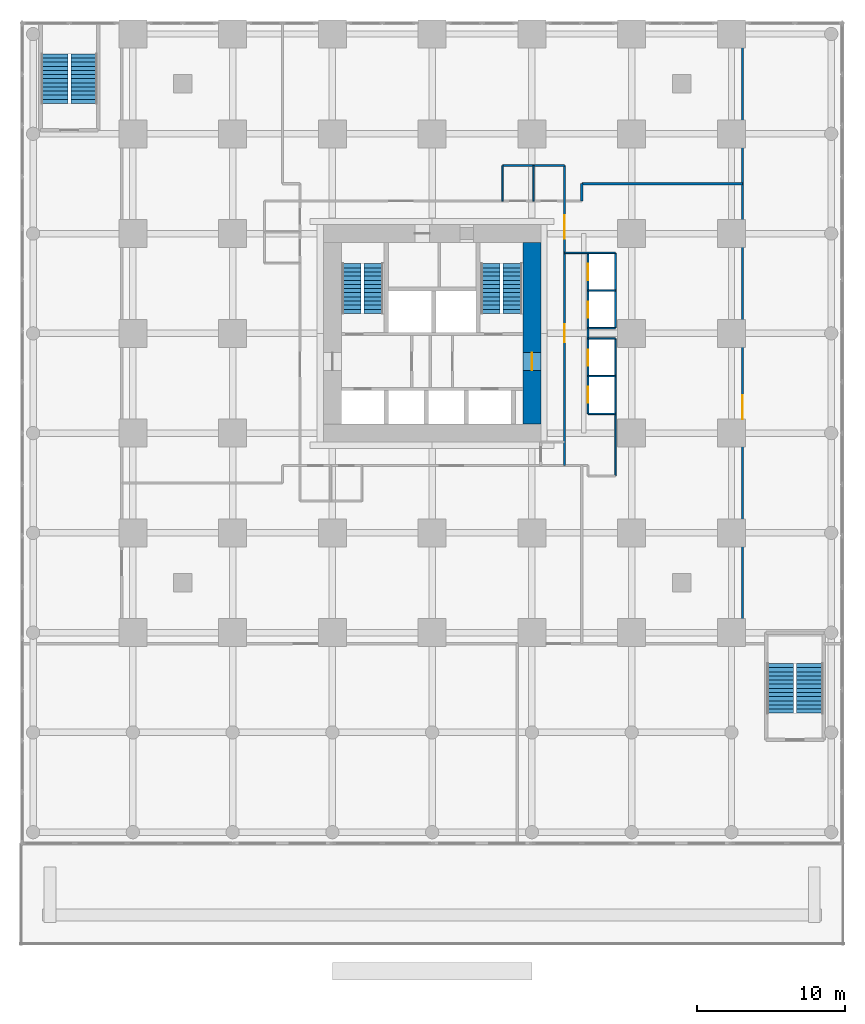
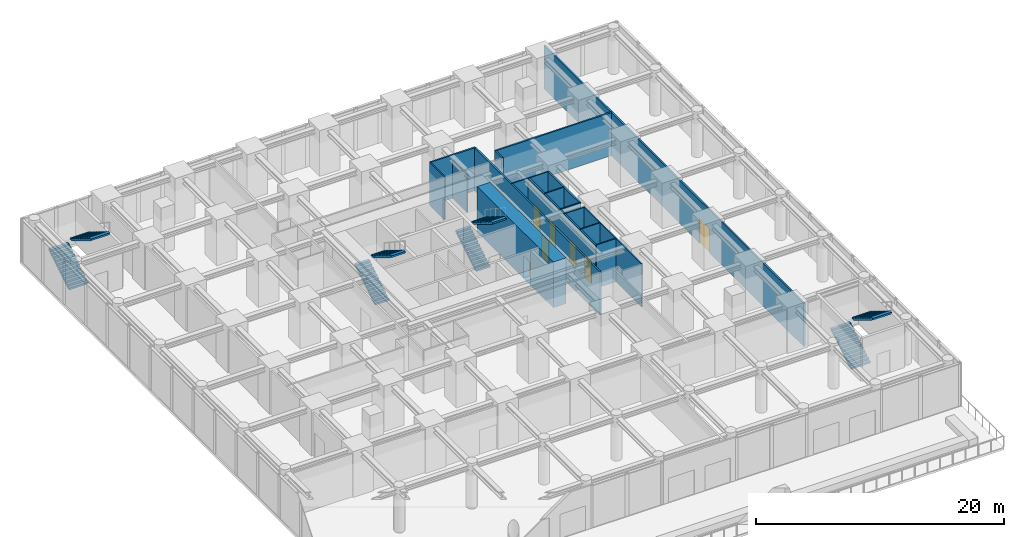
# One storey, part 10 of 11: 17 walls, 8 doors, 8 stair flights, 8 openings, 4 elements without a shape of their own.
"""IFC4 building model written with IfcOpenShell, lengths in metres."""

from ifc_helpers import new_model, si_unit, direction, frame, frame_2d, origin, place, context, subcontext, project, spatial, polyline, rectangle, outline, extrude, material, layer, layer_set, type_object, element, fill, aggregate, save


model = new_model("IFC4")

# Units and contexts
model_context = context("Model", 3, precision=1e-05, world=origin(), true_north=direction((0.0, 1.0)))
body_context = subcontext(model_context, "Body", "Model", "MODEL_VIEW")
ifc_project = project(units=[si_unit("LENGTHUNIT", "METRE"), si_unit("AREAUNIT", "SQUARE_METRE"), si_unit("VOLUMEUNIT", "CUBIC_METRE"), si_unit("PLANEANGLEUNIT", "RADIAN"), si_unit("MASSUNIT", "GRAM", prefix="KILO")], contexts=[model_context])

# Site, building, storey
site_placement = place(None, origin())
site = spatial("IfcSite", under=ifc_project, at=site_placement, CompositionType="ELEMENT")
building_placement = place(site_placement, origin())
building = spatial("IfcBuilding", under=site, at=building_placement, Name="Nyansa Garden Tower", CompositionType="ELEMENT")
storey_placement = place(building_placement, frame((0.0, 0.0, 4.5)))
storey = spatial("IfcBuildingStorey", under=building, at=storey_placement, Name="L01", CompositionType="ELEMENT", Elevation=4.5)

# Wall, opening, door
ifc_material_1 = material(Name="Concrete C80/95", Category="concrete")
ifc_layer_1 = layer(ifc_material_1, 1.199951171875)
ifc_layer_set_1 = layer_set([ifc_layer_1], Name="Core wall CW1200")
wall_type_1 = type_object("IfcWallType", Name="Core wall CW1200", PredefinedType="SHEAR", material=ifc_layer_set_1)
wall_1_placement = place(storey_placement, frame((27.0, 14.10009765625, 0.0), z_axis=(0.0, 0.0, 1.0), x_axis=(0.0, 1.0, 0.0)))
wall_1 = element("IfcWall", 1, at=wall_1_placement, inside=storey, type_object=wall_type_1, Name="Core wall E L01", PredefinedType="SHEAR", context=body_context, shape_type="SweptSolid", body=[
    extrude(rectangle(XDim=12.2998046875, YDim=1.199951171875, at=frame_2d((6.14990234375, 0.0))), origin(), (0.0, 0.0, 1.0), 4.5),
])
opening_1_placement = place(wall_1_placement, frame((3.64990234375, 0.0, 0.0)))
opening_1 = element("IfcOpeningElement", 2, at=opening_1_placement, cuts=wall_1, Name="Opening D06", PredefinedType="OPENING", context=body_context, shape_type="SweptSolid", body=[
    extrude(rectangle(XDim=1.199951171875, YDim=2.199951171875, at=frame_2d((0.60009765625, 1.10009765625))), frame((0.0, 0.60986328125, 0.0), z_axis=(0.0, -1.0, 0.0), x_axis=(1.0, 0.0, 0.0)), (0.0, 0.0, 1.0), 1.219970703125),
])
ifc_material_2 = material(Name="Steel door, 120 minute fire resisting", Category="steel")
door_type_1 = type_object("IfcDoorType", Name="Lobby door D06 1200x2200", OperationType="DOUBLE_DOOR_SINGLE_SWING", PredefinedType="DOOR", material=ifc_material_2)
door_1_placement = place(opening_1_placement, origin())
door_1 = element("IfcDoor", 3, at=door_1_placement, inside=storey, type_object=door_type_1, Name="Lift lobby door east", OperationType="DOUBLE_DOOR_SINGLE_SWING", OverallHeight=2.199951171875, OverallWidth=1.199951171875, PredefinedType="DOOR", context=body_context, shape_type="SweptSolid", body=[
    extrude(rectangle(XDim=1.199951171875, YDim=2.199951171875, at=frame_2d((0.60009765625, 1.10009765625))), frame((0.0, 0.02490234375, 0.0), z_axis=(0.0, -1.0, 0.0), x_axis=(1.0, 0.0, 0.0)), (0.0, 0.0, 1.0), 0.050048828125),
])
fill(opening_1, door_1)

# Walls
ifc_material_3 = material(Name="Steel-stud shaft wall, two layers fire-rated board, EI 120", Category="steel")
ifc_layer_2 = layer(ifc_material_3, 0.10009765625)
ifc_layer_set_2 = layer_set([ifc_layer_2], Name="Lift shaft wall SW100")
wall_type_2 = type_object("IfcWallType", Name="Lift shaft wall SW100", PredefinedType="SHEAR", material=ifc_layer_set_2)
wall_2_placement = place(storey_placement, frame((29.199951171875, 25.699951171875, 0.0), z_axis=(0.0, 0.0, 1.0), x_axis=(1.0, 0.0, 0.0)))
element("IfcWall", 4, at=wall_2_placement, inside=storey, type_object=wall_type_2, Name="Lift shaft wall", PredefinedType="SHEAR", context=body_context, shape_type="SweptSolid", body=[
    extrude(rectangle(XDim=3.449951171875, YDim=0.10009765625, at=frame_2d((1.72509765625, 0.0))), origin(), (0.0, 0.0, 1.0), 4.25),
])
for number, where, z_axis, x_axis, name in (
    (5, (30.800048828125, 14.800048828125, 0.0), (0.0, 0.0, 1.0), (1.0, 0.0, 0.0), "Lift shaft wall"),
    (6, (30.800048828125, 17.35009765625, 0.0), (0.0, 0.0, 1.0), (1.0, 0.0, 0.0), "Lift shaft wall"),
    (7, (30.800048828125, 19.89990234375, 0.0), (0.0, 0.0, 1.0), (1.0, 0.0, 0.0), "Lift shaft wall"),
    (8, (30.800048828125, 20.60009765625, 0.0), (0.0, 0.0, 1.0), (1.0, 0.0, 0.0), "Lift shaft wall"),
    (9, (30.800048828125, 23.14990234375, 0.0), (0.0, 0.0, 1.0), (1.0, 0.0, 0.0), "Lift shaft wall"),
):
    element("IfcWall", number, at=place(storey_placement, frame(where, z_axis=z_axis, x_axis=x_axis)), inside=storey, type_object=wall_type_2, Name=name, PredefinedType="SHEAR", context=body_context, shape_type="SweptSolid", body=[
        extrude(rectangle(XDim=1.849853515625, YDim=0.10009765625, at=frame_2d((0.9248046875, 0.0))), origin(), (0.0, 0.0, 1.0), 4.25),
    ])
wall_3_placement = place(storey_placement, frame((32.64990234375, 10.60009765625, 0.0), z_axis=(0.0, 0.0, 1.0), x_axis=(0.0, 1.0, 0.0)))
element("IfcWall", 10, at=wall_3_placement, inside=storey, type_object=wall_type_2, Name="Lift shaft wall", PredefinedType="SHEAR", context=body_context, shape_type="SweptSolid", body=[
    extrude(rectangle(XDim=9.2998046875, YDim=0.10009765625, at=frame_2d((4.64990234375, 0.0))), origin(), (0.0, 0.0, 1.0), 4.25),
])
ifc_material_4 = material(Name="Blockwork, plastered both sides", Category="masonry")
ifc_layer_3 = layer(ifc_material_4, 0.14990234375)
ifc_layer_set_3 = layer_set([ifc_layer_3], Name="Partition PW150")
wall_type_3 = type_object("IfcWallType", Name="Partition PW150", PredefinedType="PARTITIONING", material=ifc_layer_set_3)
wall_4_placement = place(storey_placement, frame((25.0, 31.60009765625, 0.0), z_axis=(0.0, 0.0, 1.0), x_axis=(1.0, 0.0, 0.0)))
element("IfcWall", 11, at=wall_4_placement, inside=storey, type_object=wall_type_3, Name="Partition", PredefinedType="PARTITIONING", context=body_context, shape_type="SweptSolid", body=[
    extrude(rectangle(XDim=4.199951171875, YDim=0.14990234375, at=frame_2d((2.10009765625, 0.0))), origin(), (0.0, 0.0, 1.0), 4.25),
])

# Wall, openings, doors
wall_5_placement = place(storey_placement, frame((29.199951171875, 11.300048828125, 0.0), z_axis=(0.0, 0.0, 1.0), x_axis=(0.0, 1.0, 0.0)))
wall_5 = element("IfcWall", 12, at=wall_5_placement, inside=storey, type_object=wall_type_3, Name="Partition", PredefinedType="PARTITIONING", context=body_context, shape_type="SweptSolid", body=[
    extrude(rectangle(XDim=20.300048828125, YDim=0.14990234375, at=frame_2d((10.14990234375, 0.0))), origin(), (0.0, 0.0, 1.0), 4.25),
])
opening_2_placement = place(wall_5_placement, frame((15.35009765625, 0.0, 0.0)))
opening_2 = element("IfcOpeningElement", 13, at=opening_2_placement, cuts=wall_5, Name="Opening D12", PredefinedType="OPENING", context=body_context, shape_type="SweptSolid", body=[
    extrude(rectangle(XDim=1.60009765625, YDim=2.39990234375, at=frame_2d((0.800048828125, 1.199951171875))), frame((0.0, 0.0849609375, 0.0), z_axis=(0.0, -1.0, 0.0), x_axis=(1.0, 0.0, 0.0)), (0.0, 0.0, 1.0), 0.169921875),
])
opening_3_placement = place(wall_5_placement, frame((8.35009765625, 0.0, 0.0)))
opening_3 = element("IfcOpeningElement", 14, at=opening_3_placement, cuts=wall_5, Name="Opening D06", PredefinedType="OPENING", context=body_context, shape_type="SweptSolid", body=[
    extrude(rectangle(XDim=1.199951171875, YDim=2.199951171875, at=frame_2d((0.60009765625, 1.10009765625))), frame((0.0, 0.0849609375, 0.0), z_axis=(0.0, -1.0, 0.0), x_axis=(1.0, 0.0, 0.0)), (0.0, 0.0, 1.0), 0.169921875),
])
ifc_material_5 = material(Name="Black aluminium glazed door, 60 minute fire resisting", Category="aluminium")
door_type_2 = type_object("IfcDoorType", Name="Amenity door D12 1600x2400", OperationType="DOUBLE_DOOR_SINGLE_SWING", PredefinedType="DOOR", material=ifc_material_5)
door_2_placement = place(opening_2_placement, origin())
door_2 = element("IfcDoor", 15, at=door_2_placement, inside=storey, type_object=door_type_2, Name="Door L01-023", OperationType="DOUBLE_DOOR_SINGLE_SWING", OverallHeight=2.39990234375, OverallWidth=1.60009765625, PredefinedType="DOOR", context=body_context, shape_type="SweptSolid", body=[
    extrude(rectangle(XDim=1.60009765625, YDim=2.39990234375, at=frame_2d((0.800048828125, 1.199951171875))), frame((0.0, 0.02490234375, 0.0), z_axis=(0.0, -1.0, 0.0), x_axis=(1.0, 0.0, 0.0)), (0.0, 0.0, 1.0), 0.050048828125),
])
fill(opening_2, door_2)
door_3_placement = place(opening_3_placement, origin())
door_3 = element("IfcDoor", 16, at=door_3_placement, inside=storey, type_object=door_type_1, Name="Low-rise lift lobby door", OperationType="DOUBLE_DOOR_SINGLE_SWING", OverallHeight=2.199951171875, OverallWidth=1.199951171875, PredefinedType="DOOR", context=body_context, shape_type="SweptSolid", body=[
    extrude(rectangle(XDim=1.199951171875, YDim=2.199951171875, at=frame_2d((0.60009765625, 1.10009765625))), frame((0.0, 0.02490234375, 0.0), z_axis=(0.0, -1.0, 0.0), x_axis=(1.0, 0.0, 0.0)), (0.0, 0.0, 1.0), 0.050048828125),
])
fill(opening_3, door_3)

# Walls
wall_6_placement = place(storey_placement, frame((30.375, 29.199951171875, 0.0), z_axis=(0.0, 0.0, 1.0), x_axis=(0.0, 1.0, 0.0)))
element("IfcWall", 17, at=wall_6_placement, inside=storey, type_object=wall_type_3, Name="Partition", PredefinedType="PARTITIONING", context=body_context, shape_type="SweptSolid", body=[
    extrude(rectangle(XDim=1.175048828125, YDim=0.14990234375, at=frame_2d((0.58740234375, 0.0))), origin(), (0.0, 0.0, 1.0), 4.25),
])
wall_7_placement = place(storey_placement, frame((30.375, 30.375, 0.0), z_axis=(0.0, 0.0, 1.0), x_axis=(1.0, 0.0, 0.0)))
element("IfcWall", 18, at=wall_7_placement, inside=storey, type_object=wall_type_3, Name="Partition", PredefinedType="PARTITIONING", context=body_context, shape_type="SweptSolid", body=[
    extrude(rectangle(XDim=10.875, YDim=0.14990234375, at=frame_2d((5.4375, 0.0))), origin(), (0.0, 0.0, 1.0), 4.25),
])

# Wall, openings, doors
wall_8_placement = place(storey_placement, frame((30.800048828125, 14.800048828125, 0.0), z_axis=(0.0, 0.0, 1.0), x_axis=(0.0, 1.0, 0.0)))
wall_8 = element("IfcWall", 19, at=wall_8_placement, inside=storey, type_object=wall_type_3, Name="Partition", PredefinedType="PARTITIONING", context=body_context, shape_type="SweptSolid", body=[
    extrude(rectangle(XDim=10.89990234375, YDim=0.14990234375, at=frame_2d((5.449951171875, 0.0))), origin(), (0.0, 0.0, 1.0), 4.25),
])
opening_4_placement = place(wall_8_placement, frame((0.75, 0.0, 0.0)))
opening_4 = element("IfcOpeningElement", 20, at=opening_4_placement, cuts=wall_8, Name="Opening LD-A", PredefinedType="OPENING", context=body_context, shape_type="SweptSolid", body=[
    extrude(rectangle(XDim=1.10009765625, YDim=2.199951171875, at=frame_2d((0.550048828125, 1.10009765625))), frame((0.0, 0.0849609375, 0.0), z_axis=(0.0, -1.0, 0.0), x_axis=(1.0, 0.0, 0.0)), (0.0, 0.0, 1.0), 0.169921875),
])
opening_5_placement = place(wall_8_placement, frame((3.25, 0.0, 0.0)))
opening_5 = element("IfcOpeningElement", 21, at=opening_5_placement, cuts=wall_8, Name="Opening LD-A", PredefinedType="OPENING", context=body_context, shape_type="SweptSolid", body=[
    extrude(rectangle(XDim=1.10009765625, YDim=2.199951171875, at=frame_2d((0.550048828125, 1.10009765625))), frame((0.0, 0.0849609375, 0.0), z_axis=(0.0, -1.0, 0.0), x_axis=(1.0, 0.0, 0.0)), (0.0, 0.0, 1.0), 0.169921875),
])
opening_6_placement = place(wall_8_placement, frame((6.5, 0.0, 0.0)))
opening_6 = element("IfcOpeningElement", 22, at=opening_6_placement, cuts=wall_8, Name="Opening LD-A", PredefinedType="OPENING", context=body_context, shape_type="SweptSolid", body=[
    extrude(rectangle(XDim=1.10009765625, YDim=2.199951171875, at=frame_2d((0.550048828125, 1.10009765625))), frame((0.0, 0.0849609375, 0.0), z_axis=(0.0, -1.0, 0.0), x_axis=(1.0, 0.0, 0.0)), (0.0, 0.0, 1.0), 0.169921875),
])
opening_7_placement = place(wall_8_placement, frame((9.050048828125, 0.0, 0.0)))
opening_7 = element("IfcOpeningElement", 23, at=opening_7_placement, cuts=wall_8, Name="Opening LD-A", PredefinedType="OPENING", context=body_context, shape_type="SweptSolid", body=[
    extrude(rectangle(XDim=1.10009765625, YDim=2.199951171875, at=frame_2d((0.550048828125, 1.10009765625))), frame((0.0, 0.0849609375, 0.0), z_axis=(0.0, -1.0, 0.0), x_axis=(1.0, 0.0, 0.0)), (0.0, 0.0, 1.0), 0.169921875),
])
ifc_material_6 = material(Name="Stainless steel centre-opening landing door of the low-rise lift, E 120", Category="steel")
door_type_3 = type_object("IfcDoorType", Name="Lift landing door LD-A 1100x2200", OperationType="DOUBLE_DOOR_SLIDING", PredefinedType="DOOR", material=ifc_material_6)
door_4_placement = place(opening_4_placement, origin())
door_4 = element("IfcDoor", 24, at=door_4_placement, inside=storey, type_object=door_type_3, Name="Landing door A1", OperationType="DOUBLE_DOOR_SLIDING", OverallHeight=2.199951171875, OverallWidth=1.10009765625, PredefinedType="DOOR", context=body_context, shape_type="SweptSolid", body=[
    extrude(rectangle(XDim=1.10009765625, YDim=2.199951171875, at=frame_2d((0.550048828125, 1.10009765625))), frame((0.0, 0.02490234375, 0.0), z_axis=(0.0, -1.0, 0.0), x_axis=(1.0, 0.0, 0.0)), (0.0, 0.0, 1.0), 0.050048828125),
])
fill(opening_4, door_4)
door_5_placement = place(opening_5_placement, origin())
door_5 = element("IfcDoor", 25, at=door_5_placement, inside=storey, type_object=door_type_3, Name="Landing door A2", OperationType="DOUBLE_DOOR_SLIDING", OverallHeight=2.199951171875, OverallWidth=1.10009765625, PredefinedType="DOOR", context=body_context, shape_type="SweptSolid", body=[
    extrude(rectangle(XDim=1.10009765625, YDim=2.199951171875, at=frame_2d((0.550048828125, 1.10009765625))), frame((0.0, 0.02490234375, 0.0), z_axis=(0.0, -1.0, 0.0), x_axis=(1.0, 0.0, 0.0)), (0.0, 0.0, 1.0), 0.050048828125),
])
fill(opening_5, door_5)
door_6_placement = place(opening_6_placement, origin())
door_6 = element("IfcDoor", 26, at=door_6_placement, inside=storey, type_object=door_type_3, Name="Landing door A3", OperationType="DOUBLE_DOOR_SLIDING", OverallHeight=2.199951171875, OverallWidth=1.10009765625, PredefinedType="DOOR", context=body_context, shape_type="SweptSolid", body=[
    extrude(rectangle(XDim=1.10009765625, YDim=2.199951171875, at=frame_2d((0.550048828125, 1.10009765625))), frame((0.0, 0.02490234375, 0.0), z_axis=(0.0, -1.0, 0.0), x_axis=(1.0, 0.0, 0.0)), (0.0, 0.0, 1.0), 0.050048828125),
])
fill(opening_6, door_6)
door_7_placement = place(opening_7_placement, origin())
door_7 = element("IfcDoor", 27, at=door_7_placement, inside=storey, type_object=door_type_3, Name="Landing door A4", OperationType="DOUBLE_DOOR_SLIDING", OverallHeight=2.199951171875, OverallWidth=1.10009765625, PredefinedType="DOOR", context=body_context, shape_type="SweptSolid", body=[
    extrude(rectangle(XDim=1.10009765625, YDim=2.199951171875, at=frame_2d((0.550048828125, 1.10009765625))), frame((0.0, 0.02490234375, 0.0), z_axis=(0.0, -1.0, 0.0), x_axis=(1.0, 0.0, 0.0)), (0.0, 0.0, 1.0), 0.050048828125),
])
fill(opening_7, door_7)

# Wall
wall_9_placement = place(storey_placement, frame((32.64990234375, 20.60009765625, 0.0), z_axis=(0.0, 0.0, 1.0), x_axis=(0.0, 1.0, 0.0)))
element("IfcWall", 28, at=wall_9_placement, inside=storey, type_object=wall_type_3, Name="Partition", PredefinedType="PARTITIONING", context=body_context, shape_type="SweptSolid", body=[
    extrude(rectangle(XDim=5.099853515625, YDim=0.14990234375, at=frame_2d((2.5498046875, 0.0))), origin(), (0.0, 0.0, 1.0), 4.25),
])

# Wall, opening, door
wall_10_placement = place(storey_placement, frame((41.25, -0.75, 0.0), z_axis=(0.0, 0.0, 1.0), x_axis=(0.0, 1.0, 0.0)))
wall_10 = element("IfcWall", 29, at=wall_10_placement, inside=storey, type_object=wall_type_3, Name="Partition", PredefinedType="PARTITIONING", context=body_context, shape_type="SweptSolid", body=[
    extrude(rectangle(XDim=41.98388671875, YDim=0.14990234375, at=frame_2d((20.991943359375, 0.0))), origin(), (0.0, 0.0, 1.0), 4.25),
])
opening_8_placement = place(wall_10_placement, frame((15.199951171875, 0.0, 0.0)))
opening_8 = element("IfcOpeningElement", 30, at=opening_8_placement, cuts=wall_10, Name="Opening D12", PredefinedType="OPENING", context=body_context, shape_type="SweptSolid", body=[
    extrude(rectangle(XDim=1.60009765625, YDim=2.39990234375, at=frame_2d((0.800048828125, 1.199951171875))), frame((0.0, 0.0849609375, 0.0), z_axis=(0.0, -1.0, 0.0), x_axis=(1.0, 0.0, 0.0)), (0.0, 0.0, 1.0), 0.169921875),
])
door_8_placement = place(opening_8_placement, origin())
door_8 = element("IfcDoor", 31, at=door_8_placement, inside=storey, type_object=door_type_2, Name="Door L01-033", OperationType="DOUBLE_DOOR_SINGLE_SWING", OverallHeight=2.39990234375, OverallWidth=1.60009765625, PredefinedType="DOOR", context=body_context, shape_type="SweptSolid", body=[
    extrude(rectangle(XDim=1.60009765625, YDim=2.39990234375, at=frame_2d((0.800048828125, 1.199951171875))), frame((0.0, 0.02490234375, 0.0), z_axis=(0.0, -1.0, 0.0), x_axis=(1.0, 0.0, 0.0)), (0.0, 0.0, 1.0), 0.050048828125),
])
fill(opening_8, door_8)

# Walls
ifc_material_7 = material(Name="Moisture resistant board on steel studs, tiled", Category="steel")
ifc_layer_4 = layer(ifc_material_7, 0.10009765625)
ifc_layer_set_4 = layer_set([ifc_layer_4], Name="Wet wall PW100")
wall_type_4 = type_object("IfcWallType", Name="Wet wall PW100", PredefinedType="PARTITIONING", material=ifc_layer_set_4)
wall_11_placement = place(storey_placement, frame((25.0, 29.199951171875, 0.0), z_axis=(0.0, 0.0, 1.0), x_axis=(0.0, 1.0, 0.0)))
element("IfcWall", 32, at=wall_11_placement, inside=storey, type_object=wall_type_4, Name="Wet wall", PredefinedType="PARTITIONING", context=body_context, shape_type="SweptSolid", body=[
    extrude(rectangle(XDim=2.400146484375, YDim=0.10009765625, at=frame_2d((1.2001953125, 0.0))), origin(), (0.0, 0.0, 1.0), 4.25),
])
wall_12_placement = place(storey_placement, frame((27.10009765625, 29.199951171875, 0.0), z_axis=(0.0, 0.0, 1.0), x_axis=(0.0, 1.0, 0.0)))
element("IfcWall", 33, at=wall_12_placement, inside=storey, type_object=wall_type_4, Name="Wet wall", PredefinedType="PARTITIONING", context=body_context, shape_type="SweptSolid", body=[
    extrude(rectangle(XDim=2.400146484375, YDim=0.10009765625, at=frame_2d((1.2001953125, 0.0))), origin(), (0.0, 0.0, 1.0), 3.751953125),
])

# Stair, stair flights
ifc_material_8 = material(Name="Precast concrete C40/50", Category="concrete")
stair_type_1 = type_object("IfcStairType", Name="Stair S1 173x280", PredefinedType="HALF_TURN_STAIR", material=ifc_material_8)
stair_1_placement = place(storey_placement, origin())
stair_1 = element("IfcStair", 34, at=stair_1_placement, inside=storey, type_object=stair_type_1, Name="Stair S1 L01", PredefinedType="HALF_TURN_STAIR")
ifc_material_9 = material(Name="Precast concrete C40/50", Category="concrete")
stair_flight_type_1 = type_object("IfcStairFlightType", Name="Stair flight S1 173x280x13", PredefinedType="STRAIGHT", material=ifc_material_9)
stair_flight_1_placement = place(storey_placement, frame((14.800048828125, 21.60009765625, 0.0), z_axis=(0.0, 0.0, 1.0), x_axis=(0.0, 1.0, 0.0)))
stair_flight_1 = element("IfcStairFlight", 35, at=stair_flight_1_placement, type_object=stair_flight_type_1, Name="S1 flight 1", NumberOfRisers=13, NumberOfTreads=12, PredefinedType="STRAIGHT", RiserHeight=0.173076923, TreadLength=0.28, context=body_context, shape_type="SweptSolid", body=[
    extrude(outline(polyline([(0.0, 0.0), (0.0, 0.173095703125), (0.280029296875, 0.173095703125), (0.280029296875, 0.34619140625), (0.56005859375, 0.34619140625), (0.56005859375, 0.519287109375), (0.840087890625, 0.519287109375), (0.840087890625, 0.6923828125), (1.1201171875, 0.6923828125), (1.1201171875, 0.865478515625), (1.39990234375, 0.865478515625), (1.39990234375, 1.03857421875), (1.679931640625, 1.03857421875), (1.679931640625, 1.21142578125), (1.9599609375, 1.21142578125), (1.9599609375, 1.384521484375), (2.239990234375, 1.384521484375), (2.239990234375, 1.5576171875), (2.52001953125, 1.5576171875), (2.52001953125, 1.730712890625), (2.800048828125, 1.730712890625), (2.800048828125, 1.90380859375), (3.080078125, 1.90380859375), (3.080078125, 2.076904296875), (3.360107421875, 2.076904296875), (3.360107421875, 2.25), (3.360107421875, 1.900634765625), (0.28515625, 0.0), (0.0, 0.0)])), frame((0.0, 0.64990234375, 0.0), z_axis=(0.0, -1.0, 0.0), x_axis=(1.0, 0.0, 0.0)), (0.0, 0.0, 1.0), 1.300048828125),
])
stair_flight_2_placement = place(storey_placement, frame((16.300048828125, 24.9599609375, 2.25), z_axis=(0.0, 0.0, 1.0), x_axis=(0.0, -1.0, 0.0)))
stair_flight_2 = element("IfcStairFlight", 36, at=stair_flight_2_placement, type_object=stair_flight_type_1, Name="S1 flight 2", NumberOfRisers=13, NumberOfTreads=12, PredefinedType="STRAIGHT", RiserHeight=0.173076923, TreadLength=0.28, context=body_context, shape_type="SweptSolid", body=[
    extrude(outline(polyline([(0.0, 0.0), (0.0, 0.173095703125), (0.280029296875, 0.173095703125), (0.280029296875, 0.34619140625), (0.56005859375, 0.34619140625), (0.56005859375, 0.519287109375), (0.840087890625, 0.519287109375), (0.840087890625, 0.6923828125), (1.1201171875, 0.6923828125), (1.1201171875, 0.865478515625), (1.39990234375, 0.865478515625), (1.39990234375, 1.03857421875), (1.679931640625, 1.03857421875), (1.679931640625, 1.21142578125), (1.9599609375, 1.21142578125), (1.9599609375, 1.384521484375), (2.239990234375, 1.384521484375), (2.239990234375, 1.5576171875), (2.52001953125, 1.5576171875), (2.52001953125, 1.730712890625), (2.800048828125, 1.730712890625), (2.800048828125, 1.90380859375), (3.080078125, 1.90380859375), (3.080078125, 2.076904296875), (3.360107421875, 2.076904296875), (3.360107421875, 2.25), (3.360107421875, 1.900634765625), (0.28515625, 0.0), (0.0, 0.0)])), frame((0.0, 0.64990234375, 0.0), z_axis=(0.0, -1.0, 0.0), x_axis=(1.0, 0.0, 0.0)), (0.0, 0.0, 1.0), 1.300048828125),
])
aggregate(stair_1, [stair_flight_1, stair_flight_2])

ifc_material_10 = material(Name="Precast concrete C40/50", Category="concrete")
stair_type_2 = type_object("IfcStairType", Name="Stair S2 173x280", PredefinedType="HALF_TURN_STAIR", material=ifc_material_10)
stair_2_placement = place(storey_placement, origin())
stair_2 = element("IfcStair", 37, at=stair_2_placement, inside=storey, type_object=stair_type_2, Name="Stair S2 L01", PredefinedType="HALF_TURN_STAIR")
ifc_material_11 = material(Name="Precast concrete C40/50", Category="concrete")
stair_flight_type_2 = type_object("IfcStairFlightType", Name="Stair flight S2 173x280x13", PredefinedType="STRAIGHT", material=ifc_material_11)
stair_flight_3_placement = place(storey_placement, frame((24.199951171875, 21.60009765625, 0.0), z_axis=(0.0, 0.0, 1.0), x_axis=(0.0, 1.0, 0.0)))
stair_flight_3 = element("IfcStairFlight", 38, at=stair_flight_3_placement, type_object=stair_flight_type_2, Name="S2 flight 1", NumberOfRisers=13, NumberOfTreads=12, PredefinedType="STRAIGHT", RiserHeight=0.173076923, TreadLength=0.28, context=body_context, shape_type="SweptSolid", body=[
    extrude(outline(polyline([(0.0, 0.0), (0.0, 0.173095703125), (0.280029296875, 0.173095703125), (0.280029296875, 0.34619140625), (0.56005859375, 0.34619140625), (0.56005859375, 0.519287109375), (0.840087890625, 0.519287109375), (0.840087890625, 0.6923828125), (1.1201171875, 0.6923828125), (1.1201171875, 0.865478515625), (1.39990234375, 0.865478515625), (1.39990234375, 1.03857421875), (1.679931640625, 1.03857421875), (1.679931640625, 1.21142578125), (1.9599609375, 1.21142578125), (1.9599609375, 1.384521484375), (2.239990234375, 1.384521484375), (2.239990234375, 1.5576171875), (2.52001953125, 1.5576171875), (2.52001953125, 1.730712890625), (2.800048828125, 1.730712890625), (2.800048828125, 1.90380859375), (3.080078125, 1.90380859375), (3.080078125, 2.076904296875), (3.360107421875, 2.076904296875), (3.360107421875, 2.25), (3.360107421875, 1.900634765625), (0.28515625, 0.0), (0.0, 0.0)])), frame((0.0, 0.64990234375, 0.0), z_axis=(0.0, -1.0, 0.0), x_axis=(1.0, 0.0, 0.0)), (0.0, 0.0, 1.0), 1.300048828125),
])
stair_flight_4_placement = place(storey_placement, frame((25.699951171875, 24.9599609375, 2.25), z_axis=(0.0, 0.0, 1.0), x_axis=(0.0, -1.0, 0.0)))
stair_flight_4 = element("IfcStairFlight", 39, at=stair_flight_4_placement, type_object=stair_flight_type_2, Name="S2 flight 2", NumberOfRisers=13, NumberOfTreads=12, PredefinedType="STRAIGHT", RiserHeight=0.173076923, TreadLength=0.28, context=body_context, shape_type="SweptSolid", body=[
    extrude(outline(polyline([(0.0, 0.0), (0.0, 0.173095703125), (0.280029296875, 0.173095703125), (0.280029296875, 0.34619140625), (0.56005859375, 0.34619140625), (0.56005859375, 0.519287109375), (0.840087890625, 0.519287109375), (0.840087890625, 0.6923828125), (1.1201171875, 0.6923828125), (1.1201171875, 0.865478515625), (1.39990234375, 0.865478515625), (1.39990234375, 1.03857421875), (1.679931640625, 1.03857421875), (1.679931640625, 1.21142578125), (1.9599609375, 1.21142578125), (1.9599609375, 1.384521484375), (2.239990234375, 1.384521484375), (2.239990234375, 1.5576171875), (2.52001953125, 1.5576171875), (2.52001953125, 1.730712890625), (2.800048828125, 1.730712890625), (2.800048828125, 1.90380859375), (3.080078125, 1.90380859375), (3.080078125, 2.076904296875), (3.360107421875, 2.076904296875), (3.360107421875, 2.25), (3.360107421875, 1.900634765625), (0.28515625, 0.0), (0.0, 0.0)])), frame((0.0, 0.64990234375, 0.0), z_axis=(0.0, -1.0, 0.0), x_axis=(1.0, 0.0, 0.0)), (0.0, 0.0, 1.0), 1.300048828125),
])
aggregate(stair_2, [stair_flight_3, stair_flight_4])

ifc_material_12 = material(Name="Precast concrete C40/50", Category="concrete")
stair_type_3 = type_object("IfcStairType", Name="Stair S3 173x280", PredefinedType="HALF_TURN_STAIR", material=ifc_material_12)
stair_3_placement = place(storey_placement, origin())
stair_3 = element("IfcStair", 40, at=stair_3_placement, inside=storey, type_object=stair_type_3, Name="Stair S3 L01", PredefinedType="HALF_TURN_STAIR")
ifc_material_13 = material(Name="Precast concrete C40/50", Category="concrete")
stair_flight_type_3 = type_object("IfcStairFlightType", Name="Stair flight S3 173x280x13", PredefinedType="STRAIGHT", material=ifc_material_13)
stair_flight_5_placement = place(storey_placement, frame((-5.300048828125, 35.800048828125, 0.0), z_axis=(0.0, 0.0, 1.0), x_axis=(0.0, 1.0, 0.0)))
stair_flight_5 = element("IfcStairFlight", 41, at=stair_flight_5_placement, type_object=stair_flight_type_3, Name="S3 flight 1", NumberOfRisers=13, NumberOfTreads=12, PredefinedType="STRAIGHT", RiserHeight=0.173076923, TreadLength=0.28, context=body_context, shape_type="SweptSolid", body=[
    extrude(outline(polyline([(0.0, 0.0), (0.0, 0.173095703125), (0.280029296875, 0.173095703125), (0.280029296875, 0.34619140625), (0.56005859375, 0.34619140625), (0.56005859375, 0.519287109375), (0.840087890625, 0.519287109375), (0.840087890625, 0.6923828125), (1.1201171875, 0.6923828125), (1.1201171875, 0.865478515625), (1.39990234375, 0.865478515625), (1.39990234375, 1.03857421875), (1.679931640625, 1.03857421875), (1.679931640625, 1.21142578125), (1.9599609375, 1.21142578125), (1.9599609375, 1.384521484375), (2.239990234375, 1.384521484375), (2.239990234375, 1.5576171875), (2.52001953125, 1.5576171875), (2.52001953125, 1.730712890625), (2.800048828125, 1.730712890625), (2.800048828125, 1.90380859375), (3.080078125, 1.90380859375), (3.080078125, 2.076904296875), (3.360107421875, 2.076904296875), (3.360107421875, 2.25), (3.360107421875, 1.900634765625), (0.28515625, 0.0), (0.0, 0.0)])), frame((0.0, 0.89990234375, 0.0), z_axis=(0.0, -1.0, 0.0), x_axis=(1.0, 0.0, 0.0)), (0.0, 0.0, 1.0), 1.800048828125),
])
stair_flight_6_placement = place(storey_placement, frame((-3.300048828125, 39.159912109375, 2.25), z_axis=(0.0, 0.0, 1.0), x_axis=(0.0, -1.0, 0.0)))
stair_flight_6 = element("IfcStairFlight", 42, at=stair_flight_6_placement, type_object=stair_flight_type_3, Name="S3 flight 2", NumberOfRisers=13, NumberOfTreads=12, PredefinedType="STRAIGHT", RiserHeight=0.173076923, TreadLength=0.28, context=body_context, shape_type="SweptSolid", body=[
    extrude(outline(polyline([(0.0, 0.0), (0.0, 0.173095703125), (0.280029296875, 0.173095703125), (0.280029296875, 0.34619140625), (0.56005859375, 0.34619140625), (0.56005859375, 0.519287109375), (0.840087890625, 0.519287109375), (0.840087890625, 0.6923828125), (1.1201171875, 0.6923828125), (1.1201171875, 0.865478515625), (1.39990234375, 0.865478515625), (1.39990234375, 1.03857421875), (1.679931640625, 1.03857421875), (1.679931640625, 1.21142578125), (1.9599609375, 1.21142578125), (1.9599609375, 1.384521484375), (2.239990234375, 1.384521484375), (2.239990234375, 1.5576171875), (2.52001953125, 1.5576171875), (2.52001953125, 1.730712890625), (2.800048828125, 1.730712890625), (2.800048828125, 1.90380859375), (3.080078125, 1.90380859375), (3.080078125, 2.076904296875), (3.360107421875, 2.076904296875), (3.360107421875, 2.25), (3.360107421875, 1.900634765625), (0.28515625, 0.0), (0.0, 0.0)])), frame((0.0, 0.89990234375, 0.0), z_axis=(0.0, -1.0, 0.0), x_axis=(1.0, 0.0, 0.0)), (0.0, 0.0, 1.0), 1.800048828125),
])
aggregate(stair_3, [stair_flight_5, stair_flight_6])

ifc_material_14 = material(Name="Precast concrete C40/50", Category="concrete")
stair_type_4 = type_object("IfcStairType", Name="Stair S4 173x280", PredefinedType="HALF_TURN_STAIR", material=ifc_material_14)
stair_4_placement = place(storey_placement, origin())
stair_4 = element("IfcStair", 43, at=stair_4_placement, inside=storey, type_object=stair_type_4, Name="Stair S4 L01", PredefinedType="HALF_TURN_STAIR")
ifc_material_15 = material(Name="Precast concrete C40/50", Category="concrete")
stair_flight_type_4 = type_object("IfcStairFlightType", Name="Stair flight S4 173x280x13", PredefinedType="STRAIGHT", material=ifc_material_15)
stair_flight_7_placement = place(storey_placement, frame((43.800048828125, -5.449951171875, 0.0), z_axis=(0.0, 0.0, 1.0), x_axis=(0.0, 1.0, 0.0)))
stair_flight_7 = element("IfcStairFlight", 44, at=stair_flight_7_placement, type_object=stair_flight_type_4, Name="S4 flight 1", NumberOfRisers=13, NumberOfTreads=12, PredefinedType="STRAIGHT", RiserHeight=0.173076923, TreadLength=0.28, context=body_context, shape_type="SweptSolid", body=[
    extrude(outline(polyline([(0.0, 0.0), (0.0, 0.173095703125), (0.280029296875, 0.173095703125), (0.280029296875, 0.34619140625), (0.56005859375, 0.34619140625), (0.56005859375, 0.519287109375), (0.840087890625, 0.519287109375), (0.840087890625, 0.6923828125), (1.1201171875, 0.6923828125), (1.1201171875, 0.865478515625), (1.39990234375, 0.865478515625), (1.39990234375, 1.03857421875), (1.679931640625, 1.03857421875), (1.679931640625, 1.21142578125), (1.9599609375, 1.21142578125), (1.9599609375, 1.384521484375), (2.239990234375, 1.384521484375), (2.239990234375, 1.5576171875), (2.52001953125, 1.5576171875), (2.52001953125, 1.730712890625), (2.800048828125, 1.730712890625), (2.800048828125, 1.90380859375), (3.080078125, 1.90380859375), (3.080078125, 2.076904296875), (3.360107421875, 2.076904296875), (3.360107421875, 2.25), (3.360107421875, 1.900634765625), (0.28515625, 0.0), (0.0, 0.0)])), frame((0.0, 0.89990234375, 0.0), z_axis=(0.0, -1.0, 0.0), x_axis=(1.0, 0.0, 0.0)), (0.0, 0.0, 1.0), 1.800048828125),
])
stair_flight_8_placement = place(storey_placement, frame((45.800048828125, -2.090087890625, 2.25), z_axis=(0.0, 0.0, 1.0), x_axis=(0.0, -1.0, 0.0)))
stair_flight_8 = element("IfcStairFlight", 45, at=stair_flight_8_placement, type_object=stair_flight_type_4, Name="S4 flight 2", NumberOfRisers=13, NumberOfTreads=12, PredefinedType="STRAIGHT", RiserHeight=0.173076923, TreadLength=0.28, context=body_context, shape_type="SweptSolid", body=[
    extrude(outline(polyline([(0.0, 0.0), (0.0, 0.173095703125), (0.280029296875, 0.173095703125), (0.280029296875, 0.34619140625), (0.56005859375, 0.34619140625), (0.56005859375, 0.519287109375), (0.840087890625, 0.519287109375), (0.840087890625, 0.6923828125), (1.1201171875, 0.6923828125), (1.1201171875, 0.865478515625), (1.39990234375, 0.865478515625), (1.39990234375, 1.03857421875), (1.679931640625, 1.03857421875), (1.679931640625, 1.21142578125), (1.9599609375, 1.21142578125), (1.9599609375, 1.384521484375), (2.239990234375, 1.384521484375), (2.239990234375, 1.5576171875), (2.52001953125, 1.5576171875), (2.52001953125, 1.730712890625), (2.800048828125, 1.730712890625), (2.800048828125, 1.90380859375), (3.080078125, 1.90380859375), (3.080078125, 2.076904296875), (3.360107421875, 2.076904296875), (3.360107421875, 2.25), (3.360107421875, 1.900634765625), (0.28515625, 0.0), (0.0, 0.0)])), frame((0.0, 0.89990234375, 0.0), z_axis=(0.0, -1.0, 0.0), x_axis=(1.0, 0.0, 0.0)), (0.0, 0.0, 1.0), 1.800048828125),
])
aggregate(stair_4, [stair_flight_7, stair_flight_8])

save(model, "model.ifc")
